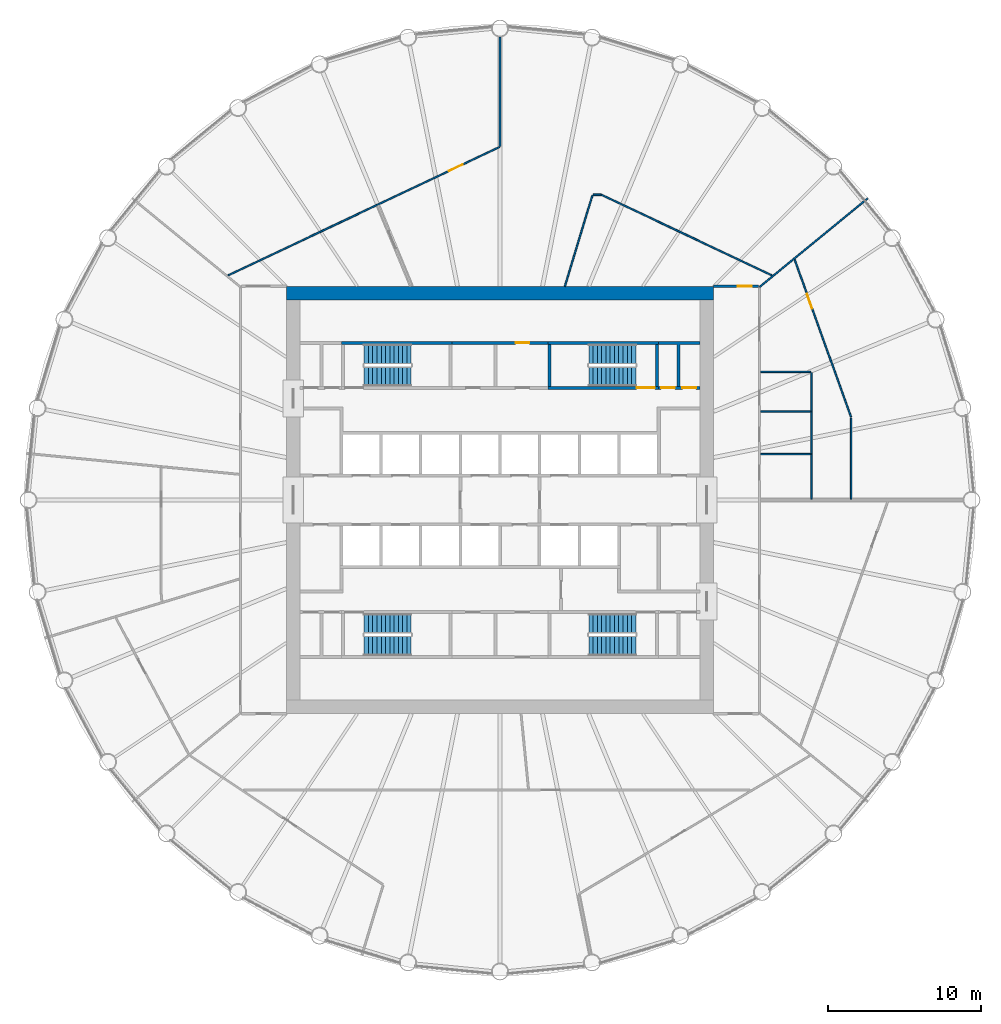
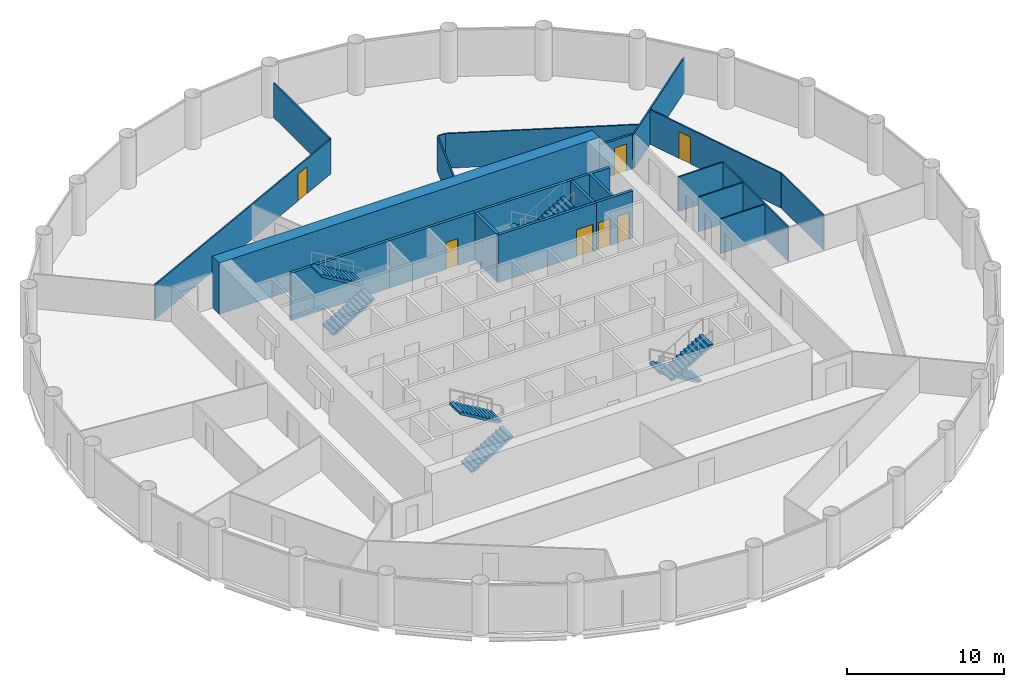
# One storey, part 7 of 8: 22 walls, 8 stair flights, 7 doors, 7 openings, 4 elements without a shape of their own.
"""IFC4 building model written with IfcOpenShell, lengths in metres."""

from ifc_helpers import new_model, si_unit, direction, frame, frame_2d, origin, place, context, subcontext, project, spatial, polyline, rectangle, outline, extrude, material, layer, layer_set, type_object, element, fill, aggregate, save


model = new_model("IFC4")

# Units and contexts
model_context = context("Model", 3, precision=1e-05, world=origin(), true_north=direction((0.0, 1.0)))
body_context = subcontext(model_context, "Body", "Model", "MODEL_VIEW")
ifc_project = project(units=[si_unit("LENGTHUNIT", "METRE"), si_unit("AREAUNIT", "SQUARE_METRE"), si_unit("VOLUMEUNIT", "CUBIC_METRE"), si_unit("PLANEANGLEUNIT", "RADIAN"), si_unit("MASSUNIT", "GRAM", prefix="KILO")], contexts=[model_context])

# Site, building, storey
site_placement = place(None, origin())
site = spatial("IfcSite", under=ifc_project, at=site_placement, CompositionType="ELEMENT")
building_placement = place(site_placement, origin())
building = spatial("IfcBuilding", under=site, at=building_placement, Name="Corvane Civic Tower", CompositionType="ELEMENT")
storey_placement = place(building_placement, frame((0.0, 0.0, 156.0)))
storey = spatial("IfcBuildingStorey", under=building, at=storey_placement, Name="L36", CompositionType="ELEMENT", Elevation=156.0)

# Wall
ifc_material_1 = material(Name="Concrete C60/75", Category="concrete")
ifc_layer_1 = layer(ifc_material_1, 0.89990234375)
ifc_layer_set_1 = layer_set([ifc_layer_1], Name="Concrete C60/75")
wall_type_1 = type_object("IfcWallType", Name="CORE WALL 900 C60/75", PredefinedType="SHEAR", material=ifc_layer_set_1)
wall_1_placement = place(storey_placement, frame((-14.0, 13.550048828125, 0.0), z_axis=(0.0, 0.0, 1.0), x_axis=(1.0, 0.0, 0.0)))
element("IfcWall", 1, at=wall_1_placement, inside=storey, type_object=wall_type_1, Name="W-L36-core-N", PredefinedType="SHEAR", context=body_context, shape_type="SweptSolid", body=[
    extrude(rectangle(XDim=28.0, YDim=0.89990234375, at=frame_2d((14.0, 0.0))), origin(), (0.0, 0.0, 1.0), 4.0),
])

# Wall, openings, doors
ifc_material_2 = material(Name="Concrete C30/37", Category="concrete")
ifc_layer_2 = layer(ifc_material_2, 0.199951171875)
ifc_layer_set_2 = layer_set([ifc_layer_2], Name="Concrete C30/37")
wall_type_2 = type_object("IfcWallType", Name="CR-WALL-200", PredefinedType="PARTITIONING", material=ifc_layer_set_2)
wall_2_placement = place(storey_placement, frame((10.39990234375, 7.35009765625, 0.0), z_axis=(0.0, 0.0, 1.0), x_axis=(1.0, 0.0, 0.0)))
wall_2 = element("IfcWall", 2, at=wall_2_placement, inside=storey, type_object=wall_type_2, Name="L36 core partition wall", PredefinedType="PARTITIONING", context=body_context, shape_type="SweptSolid", body=[
    extrude(rectangle(XDim=2.7001953125, YDim=0.199951171875, at=frame_2d((1.35009765625, 0.0))), origin(), (0.0, 0.0, 1.0), 3.699951171875),
])
opening_1_placement = place(wall_2_placement, frame((0.14990234375, 0.0, 0.0)))
opening_1 = element("IfcOpeningElement", 3, at=opening_1_placement, cuts=wall_2, Name="Opening L36.C17", PredefinedType="OPENING", context=body_context, shape_type="SweptSolid", body=[
    extrude(rectangle(XDim=0.89990234375, YDim=2.10009765625, at=frame_2d((0.449951171875, 1.050048828125))), frame((0.0, 0.10986328125, 0.0), z_axis=(0.0, -1.0, 0.0), x_axis=(1.0, 0.0, 0.0)), (0.0, 0.0, 1.0), 0.219970703125),
])
opening_2_placement = place(wall_2_placement, frame((1.550048828125, 0.0, 0.0)))
opening_2 = element("IfcOpeningElement", 4, at=opening_2_placement, cuts=wall_2, Name="Opening L36.C18", PredefinedType="OPENING", context=body_context, shape_type="SweptSolid", body=[
    extrude(rectangle(XDim=0.89990234375, YDim=2.10009765625, at=frame_2d((0.449951171875, 1.050048828125))), frame((0.0, 0.10986328125, 0.0), z_axis=(0.0, -1.0, 0.0), x_axis=(1.0, 0.0, 0.0)), (0.0, 0.0, 1.0), 0.219970703125),
])
ifc_material_3 = material(Name="Steel fire door leaf", Category="steel")
door_type_1 = type_object("IfcDoorType", Name="CR-DOOR-900", OperationType="SINGLE_SWING_LEFT", PredefinedType="DOOR", material=ifc_material_3)
door_1_placement = place(opening_1_placement, origin())
door_1 = element("IfcDoor", 5, at=door_1_placement, inside=storey, type_object=door_type_1, Name="L36 door", OperationType="SINGLE_SWING_LEFT", OverallHeight=2.10009765625, OverallWidth=0.89990234375, PredefinedType="DOOR", context=body_context, shape_type="SweptSolid", body=[
    extrude(rectangle(XDim=0.89990234375, YDim=2.10009765625, at=frame_2d((0.449951171875, 1.050048828125))), frame((0.0, 0.02490234375, 0.0), z_axis=(0.0, -1.0, 0.0), x_axis=(1.0, 0.0, 0.0)), (0.0, 0.0, 1.0), 0.050048828125),
])
fill(opening_1, door_1)
door_2_placement = place(opening_2_placement, origin())
door_2 = element("IfcDoor", 6, at=door_2_placement, inside=storey, type_object=door_type_1, Name="L36 door", OperationType="SINGLE_SWING_LEFT", OverallHeight=2.10009765625, OverallWidth=0.89990234375, PredefinedType="DOOR", context=body_context, shape_type="SweptSolid", body=[
    extrude(rectangle(XDim=0.89990234375, YDim=2.10009765625, at=frame_2d((0.449951171875, 1.050048828125))), frame((0.0, 0.02490234375, 0.0), z_axis=(0.0, -1.0, 0.0), x_axis=(1.0, 0.0, 0.0)), (0.0, 0.0, 1.0), 0.050048828125),
])
fill(opening_2, door_2)

# Wall, opening, door
wall_3_placement = place(storey_placement, frame((-3.14990234375, 10.300048828125, 0.0), z_axis=(0.0, 0.0, 1.0), x_axis=(1.0, 0.0, 0.0)))
wall_3 = element("IfcWall", 7, at=wall_3_placement, inside=storey, type_object=wall_type_2, Name="L36 partition wall", PredefinedType="PARTITIONING", context=body_context, shape_type="SweptSolid", body=[
    extrude(rectangle(XDim=6.2998046875, YDim=0.199951171875, at=frame_2d((3.14990234375, 0.0))), origin(), (0.0, 0.0, 1.0), 3.699951171875),
])
opening_3_placement = place(wall_3_placement, frame((4.175048828125, 0.0, 0.0)))
opening_3 = element("IfcOpeningElement", 8, at=opening_3_placement, cuts=wall_3, Name="Opening L36.C11", PredefinedType="OPENING", context=body_context, shape_type="SweptSolid", body=[
    extrude(rectangle(XDim=0.89990234375, YDim=2.10009765625, at=frame_2d((0.449951171875, 1.050048828125))), frame((0.0, 0.10986328125, 0.0), z_axis=(0.0, -1.0, 0.0), x_axis=(1.0, 0.0, 0.0)), (0.0, 0.0, 1.0), 0.219970703125),
])
door_3_placement = place(opening_3_placement, origin())
door_3 = element("IfcDoor", 9, at=door_3_placement, inside=storey, type_object=door_type_1, Name="L36 door", OperationType="SINGLE_SWING_LEFT", OverallHeight=2.10009765625, OverallWidth=0.89990234375, PredefinedType="DOOR", context=body_context, shape_type="SweptSolid", body=[
    extrude(rectangle(XDim=0.89990234375, YDim=2.10009765625, at=frame_2d((0.449951171875, 1.050048828125))), frame((0.0, 0.02490234375, 0.0), z_axis=(0.0, -1.0, 0.0), x_axis=(1.0, 0.0, 0.0)), (0.0, 0.0, 1.0), 0.050048828125),
])
fill(opening_3, door_3)

# Walls
wall_4_placement = place(storey_placement, origin())
element("IfcWall", 10, at=wall_4_placement, inside=storey, type_object=wall_type_2, Name="L36 core partition wall", PredefinedType="PARTITIONING", context=body_context, shape_type="SweptSolid", body=[
    extrude(outline(polyline([(13.10009765625, 10.39990234375), (13.10009765625, 10.199951171875), (11.800048828125, 10.199951171875), (11.800048828125, 7.449951171875), (11.60009765625, 7.449951171875), (11.60009765625, 10.199951171875), (10.39990234375, 10.199951171875), (10.39990234375, 10.39990234375), (13.10009765625, 10.39990234375)])), origin(), (0.0, 0.0, 1.0), 3.699951171875),
])
ifc_material_4 = material(Name="Plasterboard")
ifc_layer_3 = layer(ifc_material_4, 0.10009765625)
ifc_layer_set_3 = layer_set([ifc_layer_3], Name="Plasterboard")
wall_type_3 = type_object("IfcWallType", Name="Partition 100 plasterboard on studs", PredefinedType="PARTITIONING", material=ifc_layer_set_3)
wall_5_placement = place(storey_placement, frame((20.39990234375, 0.050048828125, 0.0), z_axis=(0.0, 0.0, 1.0), x_axis=(0.0, 1.0, 0.0)))
element("IfcWall", 11, at=wall_5_placement, inside=storey, type_object=wall_type_3, Name="Partition L36.019", PredefinedType="PARTITIONING", context=body_context, shape_type="SweptSolid", body=[
    extrude(rectangle(XDim=8.300048828125, YDim=0.10009765625, at=frame_2d((4.14990234375, 0.0))), origin(), (0.0, 0.0, 1.0), 2.699951171875),
])
wall_6_placement = place(storey_placement, frame((23.0, 0.050048828125, 0.0), z_axis=(0.0, 0.0, 1.0), x_axis=(0.0, 1.0, 0.0)))
element("IfcWall", 12, at=wall_6_placement, inside=storey, type_object=wall_type_3, Name="Partition L36.020", PredefinedType="PARTITIONING", context=body_context, shape_type="SweptSolid", body=[
    extrude(rectangle(XDim=5.30712890625, YDim=0.10009765625, at=frame_2d((2.653564453125, 0.0))), origin(), (0.0, 0.0, 1.0), 2.699951171875),
])
wall_7_placement = place(storey_placement, frame((17.074951171875, 3.0, 0.0), z_axis=(0.0, 0.0, 1.0), x_axis=(1.0, 0.0, 0.0)))
element("IfcWall", 13, at=wall_7_placement, inside=storey, type_object=wall_type_3, Name="Partition L36.022", PredefinedType="PARTITIONING", context=body_context, shape_type="SweptSolid", body=[
    extrude(rectangle(XDim=3.275146484375, YDim=0.10009765625, at=frame_2d((1.6376953125, 0.0))), origin(), (0.0, 0.0, 1.0), 2.699951171875),
])

# Wall, opening, door
wall_8_placement = place(storey_placement, frame((19.304931640625, 15.756591796875, 0.0), z_axis=(0.0, 0.0, 1.0), x_axis=(0.336896220681, -0.941541786906, 0.0)))
wall_8 = element("IfcWall", 14, at=wall_8_placement, inside=storey, type_object=wall_type_3, Name="Partition L36.023", PredefinedType="PARTITIONING", context=body_context, shape_type="SweptSolid", body=[
    extrude(rectangle(XDim=10.966552734375, YDim=0.10009765625, at=frame_2d((5.4833984375, 0.0))), origin(), (0.0, 0.0, 1.0), 2.699951171875),
])
opening_4_placement = place(wall_8_placement, frame((2.39990234375, 0.0, 0.0)))
opening_4 = element("IfcOpeningElement", 15, at=opening_4_placement, cuts=wall_8, Name="Opening L36.010", PredefinedType="OPENING", context=body_context, shape_type="SweptSolid", body=[
    extrude(rectangle(XDim=1.0, YDim=2.10009765625, at=frame_2d((0.5, 1.050048828125))), frame((0.0, 0.06005859375, 0.0), z_axis=(0.0, -1.0, 0.0), x_axis=(1.0, 0.0, 0.0)), (0.0, 0.0, 1.0), 0.1201171875),
])
ifc_material_5 = material(Name="Timber", Category="wood")
door_type_2 = type_object("IfcDoorType", Name="Single door 1000", OperationType="NOTDEFINED", PredefinedType="DOOR", material=ifc_material_5)
door_4_placement = place(opening_4_placement, origin())
door_4 = element("IfcDoor", 16, at=door_4_placement, inside=storey, type_object=door_type_2, Name="Door L36.010", OperationType="SINGLE_SWING_LEFT", OverallHeight=2.10009765625, OverallWidth=1.0, PredefinedType="DOOR", context=body_context, shape_type="SweptSolid", body=[
    extrude(rectangle(XDim=1.0, YDim=2.10009765625, at=frame_2d((0.5, 1.050048828125))), frame((0.0, 0.02490234375, 0.0), z_axis=(0.0, -1.0, 0.0), x_axis=(1.0, 0.0, 0.0)), (0.0, 0.0, 1.0), 0.050048828125),
])
fill(opening_4, door_4)

# Walls
for number, where, z_axis, x_axis, name in (
    (17, (17.074951171875, 5.800048828125, 0.0), (0.0, 0.0, 1.0), (1.0, 0.0, 0.0), "Partition L36.024"),
    (18, (17.074951171875, 8.39990234375, 0.0), (0.0, 0.0, 1.0), (1.0, 0.0, 0.0), "Partition L36.025"),
):
    element("IfcWall", number, at=place(storey_placement, frame(where, z_axis=z_axis, x_axis=x_axis)), inside=storey, type_object=wall_type_3, Name=name, PredefinedType="PARTITIONING", context=body_context, shape_type="SweptSolid", body=[
        extrude(rectangle(XDim=3.275146484375, YDim=0.10009765625, at=frame_2d((1.6376953125, 0.0))), origin(), (0.0, 0.0, 1.0), 2.699951171875),
    ])
wall_9_placement = place(storey_placement, frame((17.018310546875, 13.966552734375, 0.0), z_axis=(0.0, 0.0, 1.0), x_axis=(0.773006154143, 0.634398522742, 0.0)))
element("IfcWall", 19, at=wall_9_placement, inside=storey, type_object=wall_type_3, Name="Partition L36.027", PredefinedType="PARTITIONING", context=body_context, shape_type="SweptSolid", body=[
    extrude(rectangle(XDim=9.134521484375, YDim=0.10009765625, at=frame_2d((4.5673828125, 0.0))), origin(), (0.0, 0.0, 1.0), 2.699951171875),
])
wall_10_placement = place(storey_placement, frame((4.246826171875, 14.0, 0.0), z_axis=(0.0, 0.0, 1.0), x_axis=(0.290282423734, 0.956941019327, 0.0)))
element("IfcWall", 20, at=wall_10_placement, inside=storey, type_object=wall_type_3, Name="Partition L36.030", PredefinedType="PARTITIONING", context=body_context, shape_type="SweptSolid", body=[
    extrude(rectangle(XDim=6.23291015625, YDim=0.10009765625, at=frame_2d((3.116455078125, 0.0))), origin(), (0.0, 0.0, 1.0), 2.699951171875),
])

# Wall, opening, door
wall_11_placement = place(storey_placement, frame((-17.81640625, 14.714111328125, 0.0), z_axis=(0.0, 0.0, 1.0), x_axis=(0.903992844698, 0.427547584176, 0.0)))
wall_11 = element("IfcWall", 21, at=wall_11_placement, inside=storey, type_object=wall_type_3, Name="Partition L36.032", PredefinedType="PARTITIONING", context=body_context, shape_type="SweptSolid", body=[
    extrude(rectangle(XDim=19.677001953125, YDim=0.10009765625, at=frame_2d((9.83837890625, 0.0))), origin(), (0.0, 0.0, 1.0), 2.699951171875),
])
opening_5_placement = place(wall_11_placement, frame((16.003662109375, 0.0, 0.0)))
opening_5 = element("IfcOpeningElement", 22, at=opening_5_placement, cuts=wall_11, Name="Opening L36.001", PredefinedType="OPENING", context=body_context, shape_type="SweptSolid", body=[
    extrude(rectangle(XDim=1.0, YDim=2.10009765625, at=frame_2d((0.5, 1.050048828125))), frame((0.0, 0.06005859375, 0.0), z_axis=(0.0, -1.0, 0.0), x_axis=(1.0, 0.0, 0.0)), (0.0, 0.0, 1.0), 0.1201171875),
])
door_5_placement = place(opening_5_placement, origin())
door_5 = element("IfcDoor", 23, at=door_5_placement, inside=storey, type_object=door_type_2, Name="Door L36.001", OperationType="SINGLE_SWING_LEFT", OverallHeight=2.10009765625, OverallWidth=1.0, PredefinedType="DOOR", context=body_context, shape_type="SweptSolid", body=[
    extrude(rectangle(XDim=1.0, YDim=2.10009765625, at=frame_2d((0.5, 1.050048828125))), frame((0.0, 0.02490234375, 0.0), z_axis=(0.0, -1.0, 0.0), x_axis=(1.0, 0.0, 0.0)), (0.0, 0.0, 1.0), 0.050048828125),
])
fill(opening_5, door_5)

# Walls
wall_12_placement = place(storey_placement, frame((6.650390625, 19.9951171875, 0.0), z_axis=(0.0, 0.0, 1.0), x_axis=(0.903993242608, -0.427546742847, 0.0)))
element("IfcWall", 24, at=wall_12_placement, inside=storey, type_object=wall_type_3, Name="Partition L36.033", PredefinedType="PARTITIONING", context=body_context, shape_type="SweptSolid", body=[
    extrude(rectangle(XDim=12.351806640625, YDim=0.10009765625, at=frame_2d((6.17578125, 0.0))), origin(), (0.0, 0.0, 1.0), 2.699951171875),
])
wall_13_placement = place(storey_placement, frame((6.10400390625, 20.0, 0.0), z_axis=(0.0, 0.0, 1.0), x_axis=(1.0, 0.0, 0.0)))
element("IfcWall", 25, at=wall_13_placement, inside=storey, type_object=wall_type_3, Name="Partition L36.034", PredefinedType="PARTITIONING", context=body_context, shape_type="SweptSolid", body=[
    extrude(rectangle(XDim=0.52490234375, YDim=0.10009765625, at=frame_2d((0.262451171875, 0.0))), origin(), (0.0, 0.0, 1.0), 2.699951171875),
])
wall_14_placement = place(storey_placement, frame((0.0, 23.172119140625, 0.0), z_axis=(0.0, 0.0, 1.0), x_axis=(0.0, 1.0, 0.0)))
element("IfcWall", 26, at=wall_14_placement, inside=storey, type_object=wall_type_3, Name="Partition L36.035", PredefinedType="PARTITIONING", context=body_context, shape_type="SweptSolid", body=[
    extrude(rectangle(XDim=7.167724609375, YDim=0.10009765625, at=frame_2d((3.583984375, 0.0))), origin(), (0.0, 0.0, 1.0), 2.699951171875),
])

# Wall, opening, door
ifc_material_6 = material(Name="Concrete C50/60", Category="concrete")
ifc_layer_4 = layer(ifc_material_6, 0.199951171875)
ifc_layer_set_4 = layer_set([ifc_layer_4], Name="Concrete C50/60")
wall_type_4 = type_object("IfcWallType", Name="ST-WALL-200", PredefinedType="SHEAR", material=ifc_layer_set_4)
wall_15_placement = place(storey_placement, frame((3.14990234375, 7.35009765625, 0.0), z_axis=(0.0, 0.0, 1.0), x_axis=(1.0, 0.0, 0.0)))
wall_15 = element("IfcWall", 27, at=wall_15_placement, inside=storey, type_object=wall_type_4, Name="L36 stair enclosure wall", PredefinedType="SHEAR", context=body_context, shape_type="SweptSolid", body=[
    extrude(rectangle(XDim=7.25, YDim=0.199951171875, at=frame_2d((3.625, 0.0))), origin(), (0.0, 0.0, 1.0), 3.699951171875),
])
opening_6_placement = place(wall_15_placement, frame((5.800048828125, 0.0, 0.0)))
opening_6 = element("IfcOpeningElement", 28, at=opening_6_placement, cuts=wall_15, Name="Opening L36.C21", PredefinedType="OPENING", context=body_context, shape_type="SweptSolid", body=[
    extrude(rectangle(XDim=1.199951171875, YDim=2.10009765625, at=frame_2d((0.60009765625, 1.050048828125))), frame((0.0, 0.10986328125, 0.0), z_axis=(0.0, -1.0, 0.0), x_axis=(1.0, 0.0, 0.0)), (0.0, 0.0, 1.0), 0.219970703125),
])
ifc_material_7 = material(Name="Steel fire door leaf", Category="steel")
door_type_3 = type_object("IfcDoorType", Name="ST-DOOR-1200", OperationType="SINGLE_SWING_RIGHT", PredefinedType="DOOR", material=ifc_material_7)
door_6_placement = place(opening_6_placement, origin())
door_6 = element("IfcDoor", 29, at=door_6_placement, inside=storey, type_object=door_type_3, Name="L36 stair door", OperationType="SINGLE_SWING_RIGHT", OverallHeight=2.10009765625, OverallWidth=1.199951171875, PredefinedType="DOOR", context=body_context, shape_type="SweptSolid", body=[
    extrude(rectangle(XDim=1.199951171875, YDim=2.10009765625, at=frame_2d((0.60009765625, 1.050048828125))), frame((0.0, 0.02490234375, 0.0), z_axis=(0.0, -1.0, 0.0), x_axis=(1.0, 0.0, 0.0)), (0.0, 0.0, 1.0), 0.050048828125),
])
fill(opening_6, door_6)

# Walls
wall_16_placement = place(storey_placement, origin())
element("IfcWall", 30, at=wall_16_placement, inside=storey, type_object=wall_type_4, Name="L36 stair enclosure wall", PredefinedType="SHEAR", context=body_context, shape_type="SweptSolid", body=[
    extrude(outline(polyline([(-3.14990234375, 10.199951171875), (-10.39990234375, 10.199951171875), (-10.39990234375, 10.39990234375), (-3.14990234375, 10.39990234375), (-3.14990234375, 10.199951171875)])), origin(), (0.0, 0.0, 1.0), 3.699951171875),
])
wall_17_placement = place(storey_placement, origin())
element("IfcWall", 31, at=wall_17_placement, inside=storey, type_object=wall_type_4, Name="L36 stair enclosure wall", PredefinedType="SHEAR", context=body_context, shape_type="SweptSolid", body=[
    extrude(outline(polyline([(10.39990234375, 10.199951171875), (3.14990234375, 10.199951171875), (3.14990234375, 10.39990234375), (10.39990234375, 10.39990234375), (10.39990234375, 10.199951171875)])), origin(), (0.0, 0.0, 1.0), 3.699951171875),
])
wall_18_placement = place(storey_placement, origin())
element("IfcWall", 32, at=wall_18_placement, inside=storey, type_object=wall_type_4, Name="L36 stair enclosure wall", PredefinedType="SHEAR", context=body_context, shape_type="SweptSolid", body=[
    extrude(outline(polyline([(3.35009765625, 7.449951171875), (3.14990234375, 7.449951171875), (3.14990234375, 10.199951171875), (3.35009765625, 10.199951171875), (3.35009765625, 7.449951171875)])), origin(), (0.0, 0.0, 1.0), 3.699951171875),
])
wall_19_placement = place(storey_placement, origin())
element("IfcWall", 33, at=wall_19_placement, inside=storey, type_object=wall_type_4, Name="L36 stair enclosure wall", PredefinedType="SHEAR", context=body_context, shape_type="SweptSolid", body=[
    extrude(outline(polyline([(10.39990234375, 7.449951171875), (10.199951171875, 7.449951171875), (10.199951171875, 10.199951171875), (10.39990234375, 10.199951171875), (10.39990234375, 7.449951171875)])), origin(), (0.0, 0.0, 1.0), 3.699951171875),
])

# Wall, opening, door
ifc_material_8 = material(Name="Plasterboard")
ifc_layer_5 = layer(ifc_material_8, 0.14990234375)
ifc_layer_set_5 = layer_set([ifc_layer_5], Name="Plasterboard")
wall_type_5 = type_object("IfcWallType", Name="Tenancy wall 150 EI 60", PredefinedType="PARTITIONING", material=ifc_layer_set_5)
wall_20_placement = place(storey_placement, frame((13.989990234375, 14.0, 0.0), z_axis=(0.0, 0.0, 1.0), x_axis=(1.0, 0.0, 0.0)))
wall_20 = element("IfcWall", 34, at=wall_20_placement, inside=storey, type_object=wall_type_5, Name="Partition L36.031", PredefinedType="PARTITIONING", context=body_context, shape_type="SweptSolid", body=[
    extrude(rectangle(XDim=2.93505859375, YDim=0.14990234375, at=frame_2d((1.467529296875, 0.0))), origin(), (0.0, 0.0, 1.0), 2.699951171875),
])
opening_7_placement = place(wall_20_placement, frame((1.593994140625, 0.0, 0.0)))
opening_7 = element("IfcOpeningElement", 35, at=opening_7_placement, cuts=wall_20, Name="Opening L36.004", PredefinedType="OPENING", context=body_context, shape_type="SweptSolid", body=[
    extrude(rectangle(XDim=0.89990234375, YDim=2.10009765625, at=frame_2d((0.449951171875, 1.050048828125))), frame((0.0, 0.0849609375, 0.0), z_axis=(0.0, -1.0, 0.0), x_axis=(1.0, 0.0, 0.0)), (0.0, 0.0, 1.0), 0.169921875),
])
ifc_material_9 = material(Name="Steel and timber", Category="steel")
door_type_4 = type_object("IfcDoorType", Name="Fire door FD30S 900", OperationType="NOTDEFINED", PredefinedType="DOOR", material=ifc_material_9)
door_7_placement = place(opening_7_placement, origin())
door_7 = element("IfcDoor", 36, at=door_7_placement, inside=storey, type_object=door_type_4, Name="Door L36.004", OperationType="SINGLE_SWING_LEFT", OverallHeight=2.10009765625, OverallWidth=0.89990234375, PredefinedType="DOOR", context=body_context, shape_type="SweptSolid", body=[
    extrude(rectangle(XDim=0.89990234375, YDim=2.10009765625, at=frame_2d((0.449951171875, 1.050048828125))), frame((0.0, 0.02490234375, 0.0), z_axis=(0.0, -1.0, 0.0), x_axis=(1.0, 0.0, 0.0)), (0.0, 0.0, 1.0), 0.050048828125),
])
fill(opening_7, door_7)

# Stair, stair flights
ifc_material_10 = material(Name="Concrete C40/50", Category="concrete")
stair_type = type_object("IfcStairType", Name="ST-STAIR-HALFTURN", PredefinedType="HALF_TURN_STAIR", material=ifc_material_10)
stair_1_placement = place(storey_placement, origin())
stair_1 = element("IfcStair", 37, at=stair_1_placement, inside=storey, type_object=stair_type, Name="L36 Exit stair ST1", PredefinedType="HALF_TURN_STAIR")
ifc_material_11 = material(Name="Concrete C40/50", Category="concrete")
stair_flight_type = type_object("IfcStairFlightType", Name="ST-FLIGHT-RC", PredefinedType="STRAIGHT", material=ifc_material_11)
stair_flight_1_placement = place(storey_placement, frame((8.89990234375, 9.550048828125, 0.0), z_axis=(0.0, 0.0, 1.0), x_axis=(-1.0, 0.0, 0.0)))
stair_flight_1 = element("IfcStairFlight", 38, at=stair_flight_1_placement, type_object=stair_flight_type, Name="ST1 flight 1", NumberOfRisers=12, NumberOfTreads=11, PredefinedType="STRAIGHT", RiserHeight=0.166666667, TreadLength=0.28, context=body_context, shape_type="SweptSolid", body=[
    extrude(outline(polyline([(0.0, 0.0), (0.0, 0.166748046875), (0.280029296875, 0.166748046875), (0.280029296875, 0.333251953125), (0.56005859375, 0.333251953125), (0.56005859375, 0.5), (0.840087890625, 0.5), (0.840087890625, 0.666748046875), (1.1201171875, 0.666748046875), (1.1201171875, 0.833251953125), (1.39990234375, 0.833251953125), (1.39990234375, 1.0), (1.679931640625, 1.0), (1.679931640625, 1.166748046875), (1.9599609375, 1.166748046875), (1.9599609375, 1.333251953125), (2.239990234375, 1.333251953125), (2.239990234375, 1.5), (2.52001953125, 1.5), (2.52001953125, 1.666748046875), (2.800048828125, 1.666748046875), (2.800048828125, 1.833251953125), (3.080078125, 1.833251953125), (3.080078125, 2.0), (3.080078125, 1.658935546875), (0.29296875, 0.0), (0.0, 0.0)])), frame((0.0, 0.64990234375, 0.0), z_axis=(0.0, -1.0, 0.0), x_axis=(1.0, 0.0, 0.0)), (0.0, 0.0, 1.0), 1.300048828125),
])
stair_flight_2_placement = place(storey_placement, frame((5.820068359375, 8.10009765625, 2.0), z_axis=(0.0, 0.0, 1.0), x_axis=(1.0, 0.0, 0.0)))
stair_flight_2 = element("IfcStairFlight", 39, at=stair_flight_2_placement, type_object=stair_flight_type, Name="ST1 flight 2", NumberOfRisers=12, NumberOfTreads=11, PredefinedType="STRAIGHT", RiserHeight=0.166666667, TreadLength=0.28, context=body_context, shape_type="SweptSolid", body=[
    extrude(outline(polyline([(0.0, 0.0), (0.0, 0.166748046875), (0.280029296875, 0.166748046875), (0.280029296875, 0.333251953125), (0.56005859375, 0.333251953125), (0.56005859375, 0.5), (0.840087890625, 0.5), (0.840087890625, 0.666748046875), (1.1201171875, 0.666748046875), (1.1201171875, 0.833251953125), (1.39990234375, 0.833251953125), (1.39990234375, 1.0), (1.679931640625, 1.0), (1.679931640625, 1.166748046875), (1.9599609375, 1.166748046875), (1.9599609375, 1.333251953125), (2.239990234375, 1.333251953125), (2.239990234375, 1.5), (2.52001953125, 1.5), (2.52001953125, 1.666748046875), (2.800048828125, 1.666748046875), (2.800048828125, 1.833251953125), (3.080078125, 1.833251953125), (3.080078125, 2.0), (3.080078125, 1.658935546875), (0.29296875, 0.0), (0.0, 0.0)])), frame((0.0, 0.64990234375, 0.0), z_axis=(0.0, -1.0, 0.0), x_axis=(1.0, 0.0, 0.0)), (0.0, 0.0, 1.0), 1.300048828125),
])
aggregate(stair_1, [stair_flight_1, stair_flight_2])

stair_2_placement = place(storey_placement, origin())
stair_2 = element("IfcStair", 40, at=stair_2_placement, inside=storey, type_object=stair_type, Name="L36 Exit stair ST2", PredefinedType="HALF_TURN_STAIR")
stair_flight_3_placement = place(storey_placement, frame((8.89990234375, -8.10009765625, 0.0), z_axis=(0.0, 0.0, 1.0), x_axis=(-1.0, 0.0, 0.0)))
stair_flight_3 = element("IfcStairFlight", 41, at=stair_flight_3_placement, type_object=stair_flight_type, Name="ST2 flight 1", NumberOfRisers=12, NumberOfTreads=11, PredefinedType="STRAIGHT", RiserHeight=0.166666667, TreadLength=0.28, context=body_context, shape_type="SweptSolid", body=[
    extrude(outline(polyline([(0.0, 0.0), (0.0, 0.166748046875), (0.280029296875, 0.166748046875), (0.280029296875, 0.333251953125), (0.56005859375, 0.333251953125), (0.56005859375, 0.5), (0.840087890625, 0.5), (0.840087890625, 0.666748046875), (1.1201171875, 0.666748046875), (1.1201171875, 0.833251953125), (1.39990234375, 0.833251953125), (1.39990234375, 1.0), (1.679931640625, 1.0), (1.679931640625, 1.166748046875), (1.9599609375, 1.166748046875), (1.9599609375, 1.333251953125), (2.239990234375, 1.333251953125), (2.239990234375, 1.5), (2.52001953125, 1.5), (2.52001953125, 1.666748046875), (2.800048828125, 1.666748046875), (2.800048828125, 1.833251953125), (3.080078125, 1.833251953125), (3.080078125, 2.0), (3.080078125, 1.658935546875), (0.29296875, 0.0), (0.0, 0.0)])), frame((0.0, 0.64990234375, 0.0), z_axis=(0.0, -1.0, 0.0), x_axis=(1.0, 0.0, 0.0)), (0.0, 0.0, 1.0), 1.300048828125),
])
stair_flight_4_placement = place(storey_placement, frame((5.820068359375, -9.550048828125, 2.0), z_axis=(0.0, 0.0, 1.0), x_axis=(1.0, 0.0, 0.0)))
stair_flight_4 = element("IfcStairFlight", 42, at=stair_flight_4_placement, type_object=stair_flight_type, Name="ST2 flight 2", NumberOfRisers=12, NumberOfTreads=11, PredefinedType="STRAIGHT", RiserHeight=0.166666667, TreadLength=0.28, context=body_context, shape_type="SweptSolid", body=[
    extrude(outline(polyline([(0.0, 0.0), (0.0, 0.166748046875), (0.280029296875, 0.166748046875), (0.280029296875, 0.333251953125), (0.56005859375, 0.333251953125), (0.56005859375, 0.5), (0.840087890625, 0.5), (0.840087890625, 0.666748046875), (1.1201171875, 0.666748046875), (1.1201171875, 0.833251953125), (1.39990234375, 0.833251953125), (1.39990234375, 1.0), (1.679931640625, 1.0), (1.679931640625, 1.166748046875), (1.9599609375, 1.166748046875), (1.9599609375, 1.333251953125), (2.239990234375, 1.333251953125), (2.239990234375, 1.5), (2.52001953125, 1.5), (2.52001953125, 1.666748046875), (2.800048828125, 1.666748046875), (2.800048828125, 1.833251953125), (3.080078125, 1.833251953125), (3.080078125, 2.0), (3.080078125, 1.658935546875), (0.29296875, 0.0), (0.0, 0.0)])), frame((0.0, 0.64990234375, 0.0), z_axis=(0.0, -1.0, 0.0), x_axis=(1.0, 0.0, 0.0)), (0.0, 0.0, 1.0), 1.300048828125),
])
aggregate(stair_2, [stair_flight_3, stair_flight_4])

stair_3_placement = place(storey_placement, origin())
stair_3 = element("IfcStair", 43, at=stair_3_placement, inside=storey, type_object=stair_type, Name="L36 Exit stair ST3", PredefinedType="HALF_TURN_STAIR")
stair_flight_5_placement = place(storey_placement, frame((-8.89990234375, -9.550048828125, 0.0), z_axis=(0.0, 0.0, 1.0), x_axis=(1.0, 0.0, 0.0)))
stair_flight_5 = element("IfcStairFlight", 44, at=stair_flight_5_placement, type_object=stair_flight_type, Name="ST3 flight 1", NumberOfRisers=12, NumberOfTreads=11, PredefinedType="STRAIGHT", RiserHeight=0.166666667, TreadLength=0.28, context=body_context, shape_type="SweptSolid", body=[
    extrude(outline(polyline([(0.0, 0.0), (0.0, 0.166748046875), (0.280029296875, 0.166748046875), (0.280029296875, 0.333251953125), (0.56005859375, 0.333251953125), (0.56005859375, 0.5), (0.840087890625, 0.5), (0.840087890625, 0.666748046875), (1.1201171875, 0.666748046875), (1.1201171875, 0.833251953125), (1.39990234375, 0.833251953125), (1.39990234375, 1.0), (1.679931640625, 1.0), (1.679931640625, 1.166748046875), (1.9599609375, 1.166748046875), (1.9599609375, 1.333251953125), (2.239990234375, 1.333251953125), (2.239990234375, 1.5), (2.52001953125, 1.5), (2.52001953125, 1.666748046875), (2.800048828125, 1.666748046875), (2.800048828125, 1.833251953125), (3.080078125, 1.833251953125), (3.080078125, 2.0), (3.080078125, 1.658935546875), (0.29296875, 0.0), (0.0, 0.0)])), frame((0.0, 0.64990234375, 0.0), z_axis=(0.0, -1.0, 0.0), x_axis=(1.0, 0.0, 0.0)), (0.0, 0.0, 1.0), 1.300048828125),
])
stair_flight_6_placement = place(storey_placement, frame((-5.820068359375, -8.10009765625, 2.0), z_axis=(0.0, 0.0, 1.0), x_axis=(-1.0, 0.0, 0.0)))
stair_flight_6 = element("IfcStairFlight", 45, at=stair_flight_6_placement, type_object=stair_flight_type, Name="ST3 flight 2", NumberOfRisers=12, NumberOfTreads=11, PredefinedType="STRAIGHT", RiserHeight=0.166666667, TreadLength=0.28, context=body_context, shape_type="SweptSolid", body=[
    extrude(outline(polyline([(0.0, 0.0), (0.0, 0.166748046875), (0.280029296875, 0.166748046875), (0.280029296875, 0.333251953125), (0.56005859375, 0.333251953125), (0.56005859375, 0.5), (0.840087890625, 0.5), (0.840087890625, 0.666748046875), (1.1201171875, 0.666748046875), (1.1201171875, 0.833251953125), (1.39990234375, 0.833251953125), (1.39990234375, 1.0), (1.679931640625, 1.0), (1.679931640625, 1.166748046875), (1.9599609375, 1.166748046875), (1.9599609375, 1.333251953125), (2.239990234375, 1.333251953125), (2.239990234375, 1.5), (2.52001953125, 1.5), (2.52001953125, 1.666748046875), (2.800048828125, 1.666748046875), (2.800048828125, 1.833251953125), (3.080078125, 1.833251953125), (3.080078125, 2.0), (3.080078125, 1.658935546875), (0.29296875, 0.0), (0.0, 0.0)])), frame((0.0, 0.64990234375, 0.0), z_axis=(0.0, -1.0, 0.0), x_axis=(1.0, 0.0, 0.0)), (0.0, 0.0, 1.0), 1.300048828125),
])
aggregate(stair_3, [stair_flight_5, stair_flight_6])

stair_4_placement = place(storey_placement, origin())
stair_4 = element("IfcStair", 46, at=stair_4_placement, inside=storey, type_object=stair_type, Name="L36 Exit stair ST4", PredefinedType="HALF_TURN_STAIR")
stair_flight_7_placement = place(storey_placement, frame((-8.89990234375, 8.10009765625, 0.0), z_axis=(0.0, 0.0, 1.0), x_axis=(1.0, 0.0, 0.0)))
stair_flight_7 = element("IfcStairFlight", 47, at=stair_flight_7_placement, type_object=stair_flight_type, Name="ST4 flight 1", NumberOfRisers=12, NumberOfTreads=11, PredefinedType="STRAIGHT", RiserHeight=0.166666667, TreadLength=0.28, context=body_context, shape_type="SweptSolid", body=[
    extrude(outline(polyline([(0.0, 0.0), (0.0, 0.166748046875), (0.280029296875, 0.166748046875), (0.280029296875, 0.333251953125), (0.56005859375, 0.333251953125), (0.56005859375, 0.5), (0.840087890625, 0.5), (0.840087890625, 0.666748046875), (1.1201171875, 0.666748046875), (1.1201171875, 0.833251953125), (1.39990234375, 0.833251953125), (1.39990234375, 1.0), (1.679931640625, 1.0), (1.679931640625, 1.166748046875), (1.9599609375, 1.166748046875), (1.9599609375, 1.333251953125), (2.239990234375, 1.333251953125), (2.239990234375, 1.5), (2.52001953125, 1.5), (2.52001953125, 1.666748046875), (2.800048828125, 1.666748046875), (2.800048828125, 1.833251953125), (3.080078125, 1.833251953125), (3.080078125, 2.0), (3.080078125, 1.658935546875), (0.29296875, 0.0), (0.0, 0.0)])), frame((0.0, 0.64990234375, 0.0), z_axis=(0.0, -1.0, 0.0), x_axis=(1.0, 0.0, 0.0)), (0.0, 0.0, 1.0), 1.300048828125),
])
stair_flight_8_placement = place(storey_placement, frame((-5.820068359375, 9.550048828125, 2.0), z_axis=(0.0, 0.0, 1.0), x_axis=(-1.0, 0.0, 0.0)))
stair_flight_8 = element("IfcStairFlight", 48, at=stair_flight_8_placement, type_object=stair_flight_type, Name="ST4 flight 2", NumberOfRisers=12, NumberOfTreads=11, PredefinedType="STRAIGHT", RiserHeight=0.166666667, TreadLength=0.28, context=body_context, shape_type="SweptSolid", body=[
    extrude(outline(polyline([(0.0, 0.0), (0.0, 0.166748046875), (0.280029296875, 0.166748046875), (0.280029296875, 0.333251953125), (0.56005859375, 0.333251953125), (0.56005859375, 0.5), (0.840087890625, 0.5), (0.840087890625, 0.666748046875), (1.1201171875, 0.666748046875), (1.1201171875, 0.833251953125), (1.39990234375, 0.833251953125), (1.39990234375, 1.0), (1.679931640625, 1.0), (1.679931640625, 1.166748046875), (1.9599609375, 1.166748046875), (1.9599609375, 1.333251953125), (2.239990234375, 1.333251953125), (2.239990234375, 1.5), (2.52001953125, 1.5), (2.52001953125, 1.666748046875), (2.800048828125, 1.666748046875), (2.800048828125, 1.833251953125), (3.080078125, 1.833251953125), (3.080078125, 2.0), (3.080078125, 1.658935546875), (0.29296875, 0.0), (0.0, 0.0)])), frame((0.0, 0.64990234375, 0.0), z_axis=(0.0, -1.0, 0.0), x_axis=(1.0, 0.0, 0.0)), (0.0, 0.0, 1.0), 1.300048828125),
])
aggregate(stair_4, [stair_flight_7, stair_flight_8])

save(model, "model.ifc")
